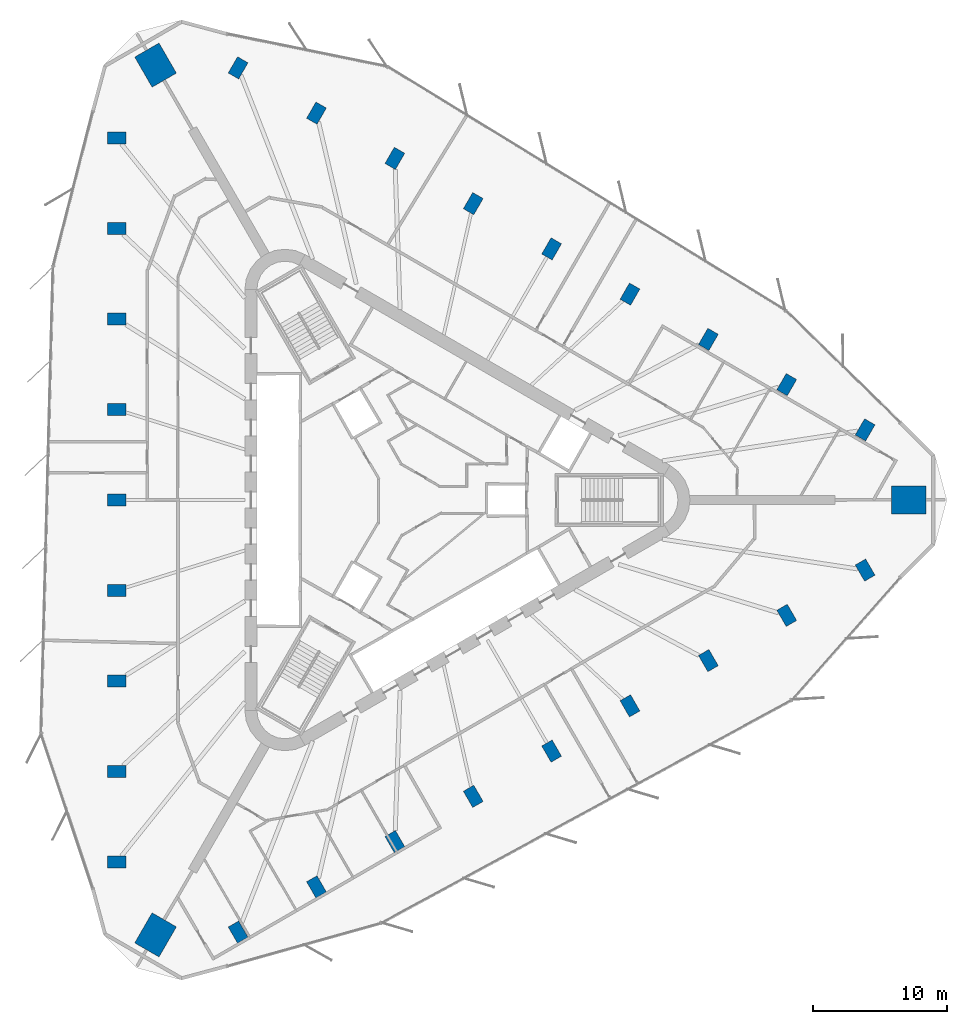
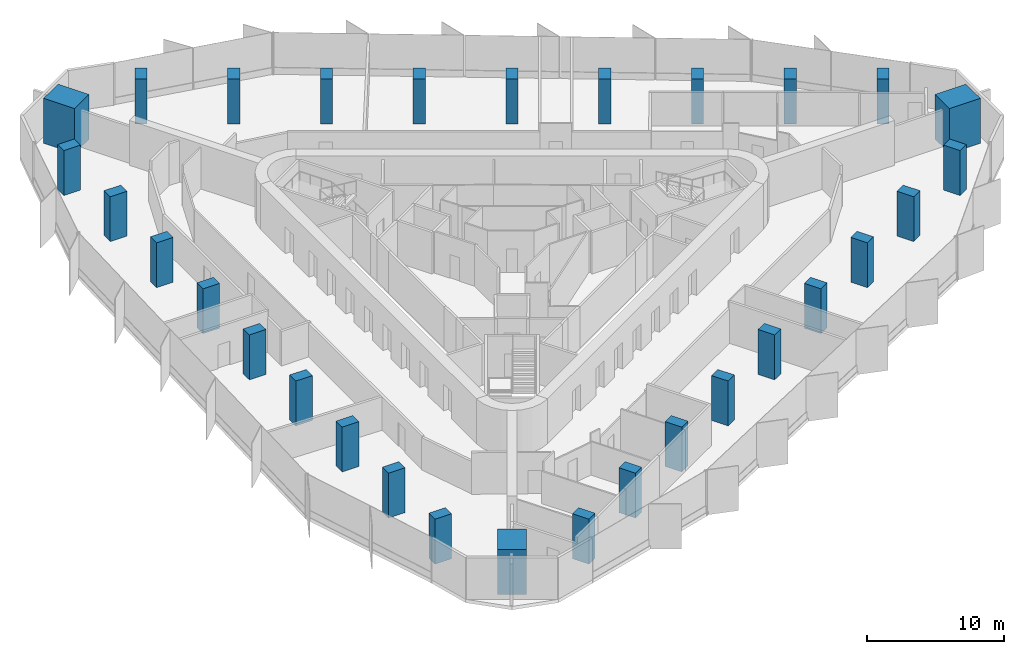
# One storey, part 1 of 14: 30 columns.
"""IFC4 building model written with IfcOpenShell, lengths in metres."""

from ifc_helpers import new_model, si_unit, direction, frame, origin, origin_2d, place, context, subcontext, project, spatial, rectangle, extrude, material, material_profile, profile_set, type_object, element, save


model = new_model("IFC4")

# Units and contexts
model_context = context("Model", 3, precision=1e-05, world=origin(), true_north=direction((0.0, 1.0)))
body_context = subcontext(model_context, "Body", "Model", "MODEL_VIEW")
ifc_project = project(units=[si_unit("LENGTHUNIT", "METRE"), si_unit("AREAUNIT", "SQUARE_METRE"), si_unit("VOLUMEUNIT", "CUBIC_METRE"), si_unit("PLANEANGLEUNIT", "RADIAN"), si_unit("MASSUNIT", "GRAM", prefix="KILO")], contexts=[model_context])

# Site, building, storey
site_placement = place(None, origin())
site = spatial("IfcSite", under=ifc_project, at=site_placement, CompositionType="ELEMENT")
building_placement = place(site_placement, origin())
building = spatial("IfcBuilding", under=site, at=building_placement, Name="Tanit Gate Tower", CompositionType="ELEMENT")
storey_placement = place(building_placement, frame((0.0, 0.0, 249.199951171875)))
storey = spatial("IfcBuildingStorey", under=building, at=storey_placement, Name="L56", CompositionType="ELEMENT", Elevation=249.199951171875)

# Columns
ifc_material_1 = material(Name="Concrete C60/75", Category="concrete")
ifc_material_profile_1 = material_profile(ifc_material_1, rectangle(XDim=2.60009765625, YDim=2.10009765625, at=origin_2d()), Name="RC 2600x2100")
ifc_profile_set_1 = profile_set([ifc_material_profile_1], Name="Concrete C60/75")
column_type_1 = type_object("IfcColumnType", Name="MEGA COLUMN 2600x2100 C60/75", PredefinedType="COLUMN", material=ifc_profile_set_1)
for number, where, z_axis, x_axis, name in (
    (1, (37.56982421875, 0.0, 0.0), (0.0, 0.0, 1.0), (1.0, 0.0, 0.0), "MEGA COLUMN"),
    (2, (-18.784912109375, 32.536376953125, 0.0), (0.0, 0.0, 1.0), (-0.5, 0.866025403784, 0.0), "MEGA COLUMN"),
    (3, (-18.784912109375, -32.536376953125, 0.0), (0.0, 0.0, 1.0), (-0.5, -0.866025403784, 0.0), "MEGA COLUMN"),
):
    element("IfcColumn", number, at=place(storey_placement, frame(where, z_axis=z_axis, x_axis=x_axis)), inside=storey, type_object=column_type_1, Name=name, PredefinedType="COLUMN", context=body_context, shape_type="SweptSolid", body=[
        extrude(rectangle(XDim=2.60009765625, YDim=2.10009765625, at=origin_2d()), origin(), (0.0, 0.0, 1.0), 4.0),
    ])
ifc_material_2 = material(Name="Concrete C50/60", Category="concrete")
ifc_material_profile_2 = material_profile(ifc_material_2, rectangle(XDim=1.39990234375, YDim=0.89990234375, at=origin_2d()), Name="RC 1400x900")
ifc_profile_set_2 = profile_set([ifc_material_profile_2], Name="Concrete C50/60")
column_type_2 = type_object("IfcColumnType", Name="PERIMETER COLUMN 1400x900 C50/60", PredefinedType="COLUMN", material=ifc_profile_set_2)
for number, where, z_axis, x_axis, name in (
    (4, (-21.693359375, 27.083984375, 0.0), (0.0, 0.0, 1.0), (-1.0, 0.0, 0.0), "PERIMETER COLUMN"),
    (5, (-21.693359375, 20.31298828125, 0.0), (0.0, 0.0, 1.0), (-1.0, 0.0, 0.0), "PERIMETER COLUMN"),
    (6, (-21.693359375, 13.5419921875, 0.0), (0.0, 0.0, 1.0), (-1.0, 0.0, 0.0), "PERIMETER COLUMN"),
    (7, (-21.693359375, 6.77099609375, 0.0), (0.0, 0.0, 1.0), (-1.0, 0.0, 0.0), "PERIMETER COLUMN"),
    (8, (-21.693359375, 0.0, 0.0), (0.0, 0.0, 1.0), (-1.0, 0.0, 0.0), "PERIMETER COLUMN"),
    (9, (-21.693359375, -6.77099609375, 0.0), (0.0, 0.0, 1.0), (-1.0, 0.0, 0.0), "PERIMETER COLUMN"),
    (10, (-21.693359375, -13.5419921875, 0.0), (0.0, 0.0, 1.0), (-1.0, 0.0, 0.0), "PERIMETER COLUMN"),
    (11, (-21.693359375, -20.31298828125, 0.0), (0.0, 0.0, 1.0), (-1.0, 0.0, 0.0), "PERIMETER COLUMN"),
    (12, (-21.693359375, -27.083984375, 0.0), (0.0, 0.0, 1.0), (-1.0, 0.0, 0.0), "PERIMETER COLUMN"),
    (13, (34.302001953125, 5.2451171875, 0.0), (0.0, 0.0, 1.0), (0.5, 0.866025403784, 0.0), "PERIMETER COLUMN"),
    (14, (28.438232421875, 8.630615234375, 0.0), (0.0, 0.0, 1.0), (0.5, 0.866025403784, 0.0), "PERIMETER COLUMN"),
    (15, (22.57421875, 12.015869140625, 0.0), (0.0, 0.0, 1.0), (0.5, 0.866025403784, 0.0), "PERIMETER COLUMN"),
    (16, (16.71044921875, 15.4013671875, 0.0), (0.0, 0.0, 1.0), (0.5, 0.866025403784, 0.0), "PERIMETER COLUMN"),
    (17, (10.8466796875, 18.786865234375, 0.0), (0.0, 0.0, 1.0), (0.5, 0.866025403784, 0.0), "PERIMETER COLUMN"),
    (18, (4.98291015625, 22.17236328125, 0.0), (0.0, 0.0, 1.0), (0.5, 0.866025403784, 0.0), "PERIMETER COLUMN"),
    (19, (-0.881103515625, 25.557861328125, 0.0), (0.0, 0.0, 1.0), (0.5, 0.866025403784, 0.0), "PERIMETER COLUMN"),
    (20, (-6.744873046875, 28.943359375, 0.0), (0.0, 0.0, 1.0), (0.5, 0.866025403784, 0.0), "PERIMETER COLUMN"),
    (21, (-12.608642578125, 32.328857421875, 0.0), (0.0, 0.0, 1.0), (0.5, 0.866025403784, 0.0), "PERIMETER COLUMN"),
    (22, (-12.608642578125, -32.328857421875, 0.0), (0.0, 0.0, 1.0), (0.5, -0.866025403784, 0.0), "PERIMETER COLUMN"),
    (23, (-6.744873046875, -28.943359375, 0.0), (0.0, 0.0, 1.0), (0.5, -0.866025403784, 0.0), "PERIMETER COLUMN"),
    (24, (-0.881103515625, -25.557861328125, 0.0), (0.0, 0.0, 1.0), (0.5, -0.866025403784, 0.0), "PERIMETER COLUMN"),
    (25, (4.98291015625, -22.17236328125, 0.0), (0.0, 0.0, 1.0), (0.5, -0.866025403784, 0.0), "PERIMETER COLUMN"),
    (26, (10.8466796875, -18.786865234375, 0.0), (0.0, 0.0, 1.0), (0.5, -0.866025403784, 0.0), "PERIMETER COLUMN"),
    (27, (16.71044921875, -15.4013671875, 0.0), (0.0, 0.0, 1.0), (0.5, -0.866025403784, 0.0), "PERIMETER COLUMN"),
    (28, (22.57421875, -12.015869140625, 0.0), (0.0, 0.0, 1.0), (0.5, -0.866025403784, 0.0), "PERIMETER COLUMN"),
    (29, (28.438232421875, -8.630615234375, 0.0), (0.0, 0.0, 1.0), (0.5, -0.866025403784, 0.0), "PERIMETER COLUMN"),
    (30, (34.302001953125, -5.2451171875, 0.0), (0.0, 0.0, 1.0), (0.5, -0.866025403784, 0.0), "PERIMETER COLUMN"),
):
    element("IfcColumn", number, at=place(storey_placement, frame(where, z_axis=z_axis, x_axis=x_axis)), inside=storey, type_object=column_type_2, Name=name, PredefinedType="COLUMN", context=body_context, shape_type="SweptSolid", body=[
        extrude(rectangle(XDim=1.39990234375, YDim=0.89990234375, at=origin_2d()), origin(), (0.0, 0.0, 1.0), 4.0),
    ])

save(model, "model.ifc")
